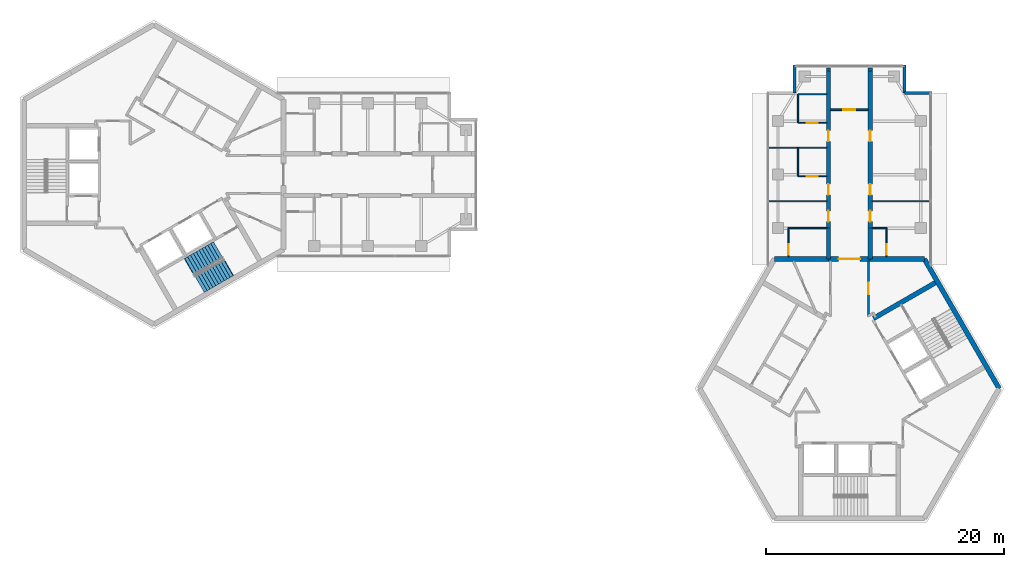
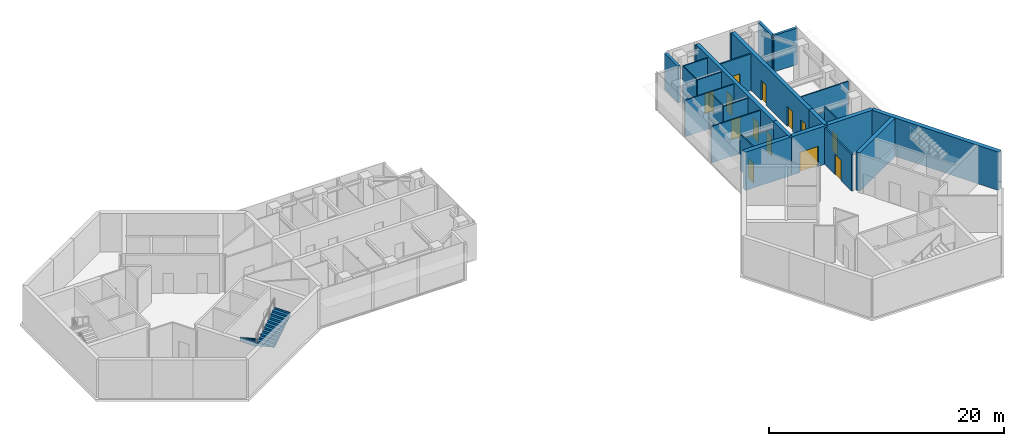
# One storey, part 9 of 11: 28 walls, 13 doors, 2 stair flights, 13 openings, 1 element without a shape of its own.
"""IFC4 building model written with IfcOpenShell, lengths in metres."""

import ifcopenshell
import ifcopenshell.guid

model = None  # the IFC model being written
_history = None  # IfcOwnerHistory: only IFC2X3 demands one
_inside = {}  # id of a spatial element -> (the spatial element, [elements in it])
_under = {}  # id of a project, library or spatial element -> (it, [spatial elements below it])
_declared = {}  # id of a project -> (the project, [libraries it declares])
_typed = {}  # id of a type object -> (the type object, [elements of that type])
_made_of = {}  # id of a material, layer set ... -> (it, [elements and type objects made of it])


def new_model(schema):
    """Start an empty IFC model of exactly this schema.

    Asked for "IFC4X3", IfcOpenShell would pick the latest addendum, in which some entities
    have other attributes; the version numbers below select the first issue.
    IFC2X3 requires an IfcOwnerHistory on every rooted entity: one is made here for all.
    """
    global model, _history
    if schema == "IFC4X3":
        model = ifcopenshell.file(schema_version=(4, 3, 0, 0))
    else:
        model = ifcopenshell.file(schema=schema)
    _inside.clear()
    _under.clear()
    _declared.clear()
    _typed.clear()
    _made_of.clear()
    _history = None
    if model.schema == "IFC2X3":
        org = make("IfcOrganization", Name="unknown")
        user = make(
            "IfcPersonAndOrganization",
            ThePerson=make("IfcPerson", FamilyName="unknown"),
            TheOrganization=org,
        )
        app = make(
            "IfcApplication",
            ApplicationDeveloper=org,
            Version="unknown",
            ApplicationFullName="unknown",
            ApplicationIdentifier="unknown",
        )
        _history = make(
            "IfcOwnerHistory",
            OwningUser=user,
            OwningApplication=app,
            ChangeAction="ADDED",
            CreationDate=0,
        )
    return model


def make(cls, **values):
    """One entity of the class cls with the attributes given. An attribute that is None is left unset."""
    return model.create_entity(
        cls, **{name: value for name, value in values.items() if value is not None}
    )


def rooted(cls, **values):
    """An entity with a GlobalId (a new one), such as an element, a storey or a relation."""
    return make(cls, GlobalId=ifcopenshell.guid.new(), OwnerHistory=_history, **values)


def si_unit(unit_type, name, prefix=None):
    """IfcSIUnit, for example si_unit("LENGTHUNIT", "METRE", prefix="MILLI")."""
    return make("IfcSIUnit", UnitType=unit_type, Prefix=prefix, Name=name)


def assignment(units):
    """IfcUnitAssignment: the units of a project."""
    return None if units is None else make("IfcUnitAssignment", Units=units)


def point(xyz):
    """IfcCartesianPoint."""
    return None if xyz is None else make("IfcCartesianPoint", Coordinates=xyz)


def direction(xyz):
    """IfcDirection."""
    return None if xyz is None else make("IfcDirection", DirectionRatios=xyz)


def frame(location, z_axis=None, x_axis=None):
    """IfcAxis2Placement3D, a coordinate frame: its origin and axes. An axis left out is left unset."""
    return make(
        "IfcAxis2Placement3D",
        Location=point(location),
        Axis=direction(z_axis),
        RefDirection=direction(x_axis),
    )


def frame_2d(location, x_axis=None):
    """IfcAxis2Placement2D, a coordinate frame in the plane: its origin and x axis."""
    return make(
        "IfcAxis2Placement2D", Location=point(location), RefDirection=direction(x_axis)
    )


def origin():
    """The frame at (0, 0, 0) with its axes left unset."""
    return frame((0.0, 0.0, 0.0))


def place(relative_to, where):
    """IfcLocalPlacement: puts the frame where relative to a parent placement (None: the world)."""
    return make(
        "IfcLocalPlacement", PlacementRelTo=relative_to, RelativePlacement=where
    )


def context(
    kind, dimensions, precision=None, world=None, true_north=None, identifier=None
):
    """IfcGeometricRepresentationContext, for example the 3D "Model" context."""
    return make(
        "IfcGeometricRepresentationContext",
        ContextIdentifier=identifier,
        ContextType=kind,
        CoordinateSpaceDimension=dimensions,
        Precision=precision,
        WorldCoordinateSystem=world,
        TrueNorth=true_north,
    )


def subcontext(parent, identifier, kind, view, scale=None):
    """IfcGeometricRepresentationSubContext, for example "Body" below "Model"."""
    return make(
        "IfcGeometricRepresentationSubContext",
        ContextIdentifier=identifier,
        ContextType=kind,
        ParentContext=parent,
        TargetScale=scale,
        TargetView=view,
    )


def project(units=None, contexts=None):
    """IfcProject with its units and contexts."""
    return rooted(
        "IfcProject",
        Name="project",
        RepresentationContexts=contexts,
        UnitsInContext=assignment(units),
    )


def spatial(cls, under=None, at=None, **own):
    """A site, building, storey or space (cls), placed at a placement, below another one or the project."""
    s = rooted(cls, ObjectPlacement=at, **own)
    if under is not None:
        _under.setdefault(under.id(), (under, []))[1].append(s)
    return s


def polyline(points):
    """IfcPolyline through the points."""
    return make("IfcPolyline", Points=[point(p) for p in points])


def profile(cls, at=None, kind="AREA", **sizes):
    """A parametric profile (cls). Its sizes go by their IFC names, for example OverallWidth=200.0."""
    return make(cls, ProfileType=kind, Position=at, **sizes)


def rectangle(**sizes):
    """IfcRectangleProfileDef."""
    return profile("IfcRectangleProfileDef", **sizes)


def outline(outer, holes=None, kind="AREA"):
    """IfcArbitraryClosedProfileDef: a profile drawn as a closed curve; with holes, ...WithVoids."""
    if holes is None:
        return make("IfcArbitraryClosedProfileDef", ProfileType=kind, OuterCurve=outer)
    return make(
        "IfcArbitraryProfileDefWithVoids",
        ProfileType=kind,
        OuterCurve=outer,
        InnerCurves=holes,
    )


def extrude(swept, where, along, depth):
    """IfcExtrudedAreaSolid: the profile swept, set in the frame where, extruded along a direction by depth."""
    return make(
        "IfcExtrudedAreaSolid",
        SweptArea=swept,
        Position=where,
        ExtrudedDirection=direction(along),
        Depth=depth,
    )


def shape(context_of_items, identifier, shape_type, items):
    """IfcShapeRepresentation: the items that make up one representation, for example the "Body"."""
    return make(
        "IfcShapeRepresentation",
        ContextOfItems=context_of_items,
        RepresentationIdentifier=identifier,
        RepresentationType=shape_type,
        Items=items,
    )


def material(Name=None, Category=None):
    """IfcMaterial."""
    return make("IfcMaterial", Name=Name, Category=Category)


def layer(
    of_material, thickness, ventilated=None, Name=None, Category=None, Priority=None
):
    """IfcMaterialLayer: one layer of a wall or slab, of a material (None: an air gap)."""
    return make(
        "IfcMaterialLayer",
        Material=of_material,
        LayerThickness=thickness,
        IsVentilated=ventilated,
        Name=Name,
        Category=Category,
        Priority=Priority,
    )


def layer_set(layers, Name=None):
    """IfcMaterialLayerSet."""
    return make("IfcMaterialLayerSet", MaterialLayers=layers, LayerSetName=Name)


def made_of(thing, what):
    """Note that an element or type object is made of a material, layer set ...; save() writes the relation."""
    if what is not None:
        _made_of.setdefault(what.id(), (what, []))[1].append(thing)
    return thing


def type_object(cls, material=None, **own):
    """A type object (cls), such as IfcWallType, which elements share."""
    return made_of(rooted(cls, **own), material)


def element(
    cls,
    number,
    at=None,
    inside=None,
    cuts=None,
    type_object=None,
    material=None,
    context=None,
    identifier="Body",
    shape_type=None,
    held_by="IfcProductDefinitionShape",
    body=None,
    shapes=None,
    **own,
):
    """One element of the class cls, such as IfcWall. Its Tag is "e" and its number.

    at: its placement. inside: the storey or other place that contains it. cuts: it is an
    opening in that element (IfcRelVoidsElement). A single representation is given by context,
    identifier, shape_type and body (its items); several are given by shapes. held_by: the class
    of the entity that holds the representations. save() writes the other relations.
    """
    e = rooted(cls, Tag="e%d" % number, ObjectPlacement=at, **own)
    if body is not None:
        shapes = [shape(context, identifier, shape_type, body)]
    if shapes is not None:
        e.Representation = make(held_by, Representations=shapes)
    if inside is not None:
        _inside.setdefault(inside.id(), (inside, []))[1].append(e)
    if cuts is not None:
        rooted(
            "IfcRelVoidsElement", RelatingBuildingElement=cuts, RelatedOpeningElement=e
        )
    if type_object is not None:
        _typed.setdefault(type_object.id(), (type_object, []))[1].append(e)
    return made_of(e, material)


def fill(opening, filler):
    """IfcRelFillsElement: the door or window that sits in an opening."""
    return rooted(
        "IfcRelFillsElement",
        RelatingOpeningElement=opening,
        RelatedBuildingElement=filler,
    )


def aggregate(whole, parts):
    """IfcRelAggregates: a whole, such as a stair, and the parts it consists of."""
    return rooted("IfcRelAggregates", RelatingObject=whole, RelatedObjects=parts)


def save(model, path):
    """Write the relations noted so far, then the file.

    IfcRelAggregates (storeys below a building ...), IfcRelContainedInSpatialStructure (elements
    in a storey), IfcRelDefinesByType, IfcRelAssociatesMaterial and IfcRelDeclares: one each for
    every whole, place, type object, material and project.
    """
    for whole, parts in _under.values():
        aggregate(whole, parts)
    for where, things in _inside.values():
        rooted(
            "IfcRelContainedInSpatialStructure",
            RelatedElements=things,
            RelatingStructure=where,
        )
    for kind, things in _typed.values():
        rooted("IfcRelDefinesByType", RelatedObjects=things, RelatingType=kind)
    for what, things in _made_of.values():
        rooted("IfcRelAssociatesMaterial", RelatedObjects=things, RelatingMaterial=what)
    for by, libraries in _declared.values():
        rooted("IfcRelDeclares", RelatingContext=by, RelatedDefinitions=libraries)
    model.write(path)


model = new_model("IFC4")

# Units and contexts
model_context = context("Model", 3, precision=1e-05, world=origin(), true_north=direction((0.0, 1.0)))
body_context = subcontext(model_context, "Body", "Model", "MODEL_VIEW")
ifc_project = project(units=[si_unit("LENGTHUNIT", "METRE"), si_unit("AREAUNIT", "SQUARE_METRE"), si_unit("VOLUMEUNIT", "CUBIC_METRE"), si_unit("PLANEANGLEUNIT", "RADIAN"), si_unit("MASSUNIT", "GRAM", prefix="KILO")], contexts=[model_context])

# Site, building, storey
site_placement = place(None, origin())
site = spatial("IfcSite", under=ifc_project, at=site_placement, CompositionType="ELEMENT")
building_placement = place(site_placement, origin())
building = spatial("IfcBuilding", under=site, at=building_placement, Name="Upepo Twin Towers", CompositionType="ELEMENT")
storey_placement = place(building_placement, frame((0.0, 0.0, 275.5)))
storey = spatial("IfcBuildingStorey", under=building, at=storey_placement, Name="L67", CompositionType="ELEMENT", Elevation=275.5)

# Walls
ifc_material_1 = material(Name="Dense concrete blockwork", Category="masonry")
ifc_layer_1 = layer(ifc_material_1, 0.35009765625)
ifc_layer_set_1 = layer_set([ifc_layer_1], Name="Buttress closer 350, blockwork with fire-stopping to the curtain wall")
wall_type_1 = type_object("IfcWallType", Name="Buttress closer 350, blockwork with fire-stopping to the curtain wall", PredefinedType="PARTITIONING", material=ifc_layer_set_1)
for number, where, z_axis, x_axis, name in (
    (1, (56.75, 8.699951171875, 0.0), (0.0, 0.0, 1.0), (0.0, 1.0, 0.0), "T2 L67 wing A buttress closer L"),
    (2, (60.25, 8.699951171875, 0.0), (0.0, 0.0, 1.0), (0.0, 1.0, 0.0), "T2 L67 wing A buttress closer R"),
):
    element("IfcWall", number, at=place(storey_placement, frame(where, z_axis=z_axis, x_axis=x_axis)), inside=storey, type_object=wall_type_1, Name=name, PredefinedType="PARTITIONING", context=body_context, shape_type="SweptSolid", body=[
        extrude(rectangle(XDim=0.275146484375, YDim=0.35009765625, at=frame_2d((0.1376953125, 0.0))), origin(), (0.0, 0.0, 1.0), 3.800048828125),
    ])
ifc_material_2 = material(Name="Concrete C60/75", Category="concrete")
ifc_layer_2 = layer(ifc_material_2, 0.35009765625)
ifc_layer_set_2 = layer_set([ifc_layer_2], Name="Concrete C60/75")
wall_type_2 = type_object("IfcWallType", Name="Buttress wall 350 RC", PredefinedType="SHEAR", material=ifc_layer_set_2)
wall_1_placement = place(storey_placement, frame((56.75, -7.091552734375, 0.0), z_axis=(0.0, 0.0, 1.0), x_axis=(0.0, 1.0, 0.0)))
element("IfcWall", 3, at=wall_1_placement, inside=storey, type_object=wall_type_2, Name="T2 wing A buttress wall L", PredefinedType="SHEAR", context=body_context, shape_type="SweptSolid", body=[
    extrude(rectangle(XDim=2.591552734375, YDim=0.35009765625, at=frame_2d((1.2958984375, 0.0))), origin(), (0.0, 0.0, 1.0), 4.0),
])

# Wall, openings, doors
wall_2_placement = place(storey_placement, frame((56.75, -4.5, 0.0), z_axis=(0.0, 0.0, 1.0), x_axis=(0.0, 1.0, 0.0)))
wall_2 = element("IfcWall", 4, at=wall_2_placement, inside=storey, type_object=wall_type_2, Name="T2 wing A buttress wall L part 2", PredefinedType="SHEAR", context=body_context, shape_type="SweptSolid", body=[
    extrude(rectangle(XDim=13.199951171875, YDim=0.35009765625, at=frame_2d((6.60009765625, 0.0))), origin(), (0.0, 0.0, 1.0), 4.0),
])
opening_1_placement = place(wall_2_placement, frame((0.550048828125, 0.0, 0.0)))
opening_1 = element("IfcOpeningElement", 5, at=opening_1_placement, cuts=wall_2, Name="Opening D11", PredefinedType="OPENING", context=body_context, shape_type="SweptSolid", body=[
    extrude(rectangle(XDim=0.89990234375, YDim=2.10009765625, at=frame_2d((0.449951171875, 1.050048828125))), frame((0.0, 0.18505859375, 0.0), z_axis=(0.0, -1.0, 0.0), x_axis=(1.0, 0.0, 0.0)), (0.0, 0.0, 1.0), 0.3701171875),
])
opening_2_placement = place(wall_2_placement, frame((2.800048828125, 0.0, 0.0)))
opening_2 = element("IfcOpeningElement", 6, at=opening_2_placement, cuts=wall_2, Name="Opening D14", PredefinedType="OPENING", context=body_context, shape_type="SweptSolid", body=[
    extrude(rectangle(XDim=0.89990234375, YDim=2.10009765625, at=frame_2d((0.449951171875, 1.050048828125))), frame((0.0, 0.18505859375, 0.0), z_axis=(0.0, -1.0, 0.0), x_axis=(1.0, 0.0, 0.0)), (0.0, 0.0, 1.0), 0.3701171875),
])
opening_3_placement = place(wall_2_placement, frame((7.300048828125, 0.0, 0.0)))
opening_3 = element("IfcOpeningElement", 7, at=opening_3_placement, cuts=wall_2, Name="Opening D14", PredefinedType="OPENING", context=body_context, shape_type="SweptSolid", body=[
    extrude(rectangle(XDim=0.89990234375, YDim=2.10009765625, at=frame_2d((0.449951171875, 1.050048828125))), frame((0.0, 0.18505859375, 0.0), z_axis=(0.0, -1.0, 0.0), x_axis=(1.0, 0.0, 0.0)), (0.0, 0.0, 1.0), 0.3701171875),
])
ifc_material_3 = material(Name="Timber doorset", Category="wood")
door_type_1 = type_object("IfcDoorType", Name="Office door 900 FD30", OperationType="SINGLE_SWING_LEFT", PredefinedType="DOOR", material=ifc_material_3)
door_1_placement = place(opening_2_placement, origin())
door_1 = element("IfcDoor", 8, at=door_1_placement, inside=storey, type_object=door_type_1, Name="T2 L67 seminar room door", OperationType="SINGLE_SWING_LEFT", OverallHeight=2.10009765625, OverallWidth=0.89990234375, PredefinedType="DOOR", context=body_context, shape_type="SweptSolid", body=[
    extrude(rectangle(XDim=0.89990234375, YDim=2.10009765625, at=frame_2d((0.449951171875, 1.050048828125))), frame((0.0, 0.02490234375, 0.0), z_axis=(0.0, -1.0, 0.0), x_axis=(1.0, 0.0, 0.0)), (0.0, 0.0, 1.0), 0.050048828125),
])
fill(opening_2, door_1)
door_2_placement = place(opening_3_placement, origin())
door_2 = element("IfcDoor", 9, at=door_2_placement, inside=storey, type_object=door_type_1, Name="T2 L67 tutorial room door", OperationType="SINGLE_SWING_RIGHT", OverallHeight=2.10009765625, OverallWidth=0.89990234375, PredefinedType="DOOR", context=body_context, shape_type="SweptSolid", body=[
    extrude(rectangle(XDim=0.89990234375, YDim=2.10009765625, at=frame_2d((0.449951171875, 1.050048828125))), frame((0.0, 0.02490234375, 0.0), z_axis=(0.0, -1.0, 0.0), x_axis=(1.0, 0.0, 0.0)), (0.0, 0.0, 1.0), 0.050048828125),
])
fill(opening_3, door_2)
ifc_material_4 = material(Name="Timber doorset", Category="wood")
door_type_2 = type_object("IfcDoorType", Name="Toilet door 900", OperationType="SINGLE_SWING_LEFT", PredefinedType="DOOR", material=ifc_material_4)
door_3_placement = place(opening_1_placement, origin())
door_3 = element("IfcDoor", 10, at=door_3_placement, inside=storey, type_object=door_type_2, Name="T2 L67 accessible wc door", OperationType="SINGLE_SWING_LEFT", OverallHeight=2.10009765625, OverallWidth=0.89990234375, PredefinedType="DOOR", context=body_context, shape_type="SweptSolid", body=[
    extrude(rectangle(XDim=0.89990234375, YDim=2.10009765625, at=frame_2d((0.449951171875, 1.050048828125))), frame((0.0, 0.02490234375, 0.0), z_axis=(0.0, -1.0, 0.0), x_axis=(1.0, 0.0, 0.0)), (0.0, 0.0, 1.0), 0.050048828125),
])
fill(opening_1, door_3)

# Wall
wall_3_placement = place(storey_placement, frame((60.25, -7.091552734375, 0.0), z_axis=(0.0, 0.0, 1.0), x_axis=(0.0, 1.0, 0.0)))
element("IfcWall", 11, at=wall_3_placement, inside=storey, type_object=wall_type_2, Name="T2 wing A buttress wall R", PredefinedType="SHEAR", context=body_context, shape_type="SweptSolid", body=[
    extrude(rectangle(XDim=2.591552734375, YDim=0.35009765625, at=frame_2d((1.2958984375, 0.0))), origin(), (0.0, 0.0, 1.0), 4.0),
])

# Wall, openings, doors
wall_4_placement = place(storey_placement, frame((60.25, -4.5, 0.0), z_axis=(0.0, 0.0, 1.0), x_axis=(0.0, 1.0, 0.0)))
wall_4 = element("IfcWall", 12, at=wall_4_placement, inside=storey, type_object=wall_type_2, Name="T2 wing A buttress wall R part 2", PredefinedType="SHEAR", context=body_context, shape_type="SweptSolid", body=[
    extrude(rectangle(XDim=13.199951171875, YDim=0.35009765625, at=frame_2d((6.60009765625, 0.0))), origin(), (0.0, 0.0, 1.0), 4.0),
])
opening_4_placement = place(wall_4_placement, frame((0.550048828125, 0.0, 0.0)))
opening_4 = element("IfcOpeningElement", 13, at=opening_4_placement, cuts=wall_4, Name="Opening D11", PredefinedType="OPENING", context=body_context, shape_type="SweptSolid", body=[
    extrude(rectangle(XDim=0.89990234375, YDim=2.10009765625, at=frame_2d((0.449951171875, 1.050048828125))), frame((0.0, 0.18505859375, 0.0), z_axis=(0.0, -1.0, 0.0), x_axis=(1.0, 0.0, 0.0)), (0.0, 0.0, 1.0), 0.3701171875),
])
opening_5_placement = place(wall_4_placement, frame((2.800048828125, 0.0, 0.0)))
opening_5 = element("IfcOpeningElement", 14, at=opening_5_placement, cuts=wall_4, Name="Opening D14", PredefinedType="OPENING", context=body_context, shape_type="SweptSolid", body=[
    extrude(rectangle(XDim=0.89990234375, YDim=2.10009765625, at=frame_2d((0.449951171875, 1.050048828125))), frame((0.0, 0.18505859375, 0.0), z_axis=(0.0, -1.0, 0.0), x_axis=(1.0, 0.0, 0.0)), (0.0, 0.0, 1.0), 0.3701171875),
])
opening_6_placement = place(wall_4_placement, frame((7.300048828125, 0.0, 0.0)))
opening_6 = element("IfcOpeningElement", 15, at=opening_6_placement, cuts=wall_4, Name="Opening D14", PredefinedType="OPENING", context=body_context, shape_type="SweptSolid", body=[
    extrude(rectangle(XDim=0.89990234375, YDim=2.10009765625, at=frame_2d((0.449951171875, 1.050048828125))), frame((0.0, 0.18505859375, 0.0), z_axis=(0.0, -1.0, 0.0), x_axis=(1.0, 0.0, 0.0)), (0.0, 0.0, 1.0), 0.3701171875),
])
door_4_placement = place(opening_5_placement, origin())
door_4 = element("IfcDoor", 16, at=door_4_placement, inside=storey, type_object=door_type_1, Name="T2 L67 graduate seminar room door", OperationType="SINGLE_SWING_LEFT", OverallHeight=2.10009765625, OverallWidth=0.89990234375, PredefinedType="DOOR", context=body_context, shape_type="SweptSolid", body=[
    extrude(rectangle(XDim=0.89990234375, YDim=2.10009765625, at=frame_2d((0.449951171875, 1.050048828125))), frame((0.0, 0.02490234375, 0.0), z_axis=(0.0, -1.0, 0.0), x_axis=(1.0, 0.0, 0.0)), (0.0, 0.0, 1.0), 0.050048828125),
])
fill(opening_5, door_4)
door_5_placement = place(opening_6_placement, origin())
door_5 = element("IfcDoor", 17, at=door_5_placement, inside=storey, type_object=door_type_1, Name="T2 L67 graduate seminar room door", OperationType="SINGLE_SWING_RIGHT", OverallHeight=2.10009765625, OverallWidth=0.89990234375, PredefinedType="DOOR", context=body_context, shape_type="SweptSolid", body=[
    extrude(rectangle(XDim=0.89990234375, YDim=2.10009765625, at=frame_2d((0.449951171875, 1.050048828125))), frame((0.0, 0.02490234375, 0.0), z_axis=(0.0, -1.0, 0.0), x_axis=(1.0, 0.0, 0.0)), (0.0, 0.0, 1.0), 0.050048828125),
])
fill(opening_6, door_5)
door_6_placement = place(opening_4_placement, origin())
door_6 = element("IfcDoor", 18, at=door_6_placement, inside=storey, type_object=door_type_2, Name="T2 L67 toilets door", OperationType="SINGLE_SWING_LEFT", OverallHeight=2.10009765625, OverallWidth=0.89990234375, PredefinedType="DOOR", context=body_context, shape_type="SweptSolid", body=[
    extrude(rectangle(XDim=0.89990234375, YDim=2.10009765625, at=frame_2d((0.449951171875, 1.050048828125))), frame((0.0, 0.02490234375, 0.0), z_axis=(0.0, -1.0, 0.0), x_axis=(1.0, 0.0, 0.0)), (0.0, 0.0, 1.0), 0.050048828125),
])
fill(opening_4, door_6)

# Wall
ifc_material_5 = material(Name="Concrete C60/75", Category="concrete")
ifc_layer_3 = layer(ifc_material_5, 0.39990234375)
ifc_layer_set_3 = layer_set([ifc_layer_3], Name="Concrete C60/75")
wall_type_3 = type_object("IfcWallType", Name="Core wall 400 RC", PredefinedType="SHEAR", material=ifc_layer_set_3)
wall_5_placement = place(storey_placement, frame((64.7978515625, -7.091552734375, 0.0), z_axis=(0.0, 0.0, 1.0), x_axis=(-1.0, 0.0, 0.0)))
element("IfcWall", 19, at=wall_5_placement, inside=storey, type_object=wall_type_3, Name="T2 core wall 000 R", PredefinedType="SHEAR", context=body_context, shape_type="SweptSolid", body=[
    extrude(rectangle(XDim=4.5478515625, YDim=0.39990234375, at=frame_2d((2.27392578125, 0.0))), origin(), (0.0, 0.0, 1.0), 4.0),
])

# Wall, opening, door
wall_6_placement = place(storey_placement, frame((60.25, -7.091552734375, 0.0), z_axis=(0.0, 0.0, 1.0), x_axis=(-1.0, 0.0, 0.0)))
wall_6 = element("IfcWall", 20, at=wall_6_placement, inside=storey, type_object=wall_type_3, Name="T2 core wall 000", PredefinedType="SHEAR", context=body_context, shape_type="SweptSolid", body=[
    extrude(rectangle(XDim=3.5, YDim=0.39990234375, at=frame_2d((1.75, 0.0))), origin(), (0.0, 0.0, 1.0), 4.0),
])
opening_7_placement = place(wall_6_placement, frame((0.85009765625, 0.0, 0.0)))
opening_7 = element("IfcOpeningElement", 21, at=opening_7_placement, cuts=wall_6, Name="Opening D2", PredefinedType="OPENING", context=body_context, shape_type="SweptSolid", body=[
    extrude(rectangle(XDim=1.800048828125, YDim=2.10009765625, at=frame_2d((0.89990234375, 1.050048828125))), frame((0.0, 0.2099609375, 0.0), z_axis=(0.0, -1.0, 0.0), x_axis=(1.0, 0.0, 0.0)), (0.0, 0.0, 1.0), 0.419921875),
])
ifc_material_6 = material(Name="Timber doorset", Category="wood")
door_type_3 = type_object("IfcDoorType", Name="Corridor double door 1800 FD60", OperationType="DOUBLE_DOOR_DOUBLE_SWING", PredefinedType="DOOR", material=ifc_material_6)
door_7_placement = place(opening_7_placement, origin())
door_7 = element("IfcDoor", 22, at=door_7_placement, inside=storey, type_object=door_type_3, Name="T2 L67 wing A corridor door", OperationType="DOUBLE_DOOR_DOUBLE_SWING", OverallHeight=2.10009765625, OverallWidth=1.800048828125, PredefinedType="DOOR", context=body_context, shape_type="SweptSolid", body=[
    extrude(rectangle(XDim=1.800048828125, YDim=2.10009765625, at=frame_2d((0.89990234375, 1.050048828125))), frame((0.0, 0.02490234375, 0.0), z_axis=(0.0, -1.0, 0.0), x_axis=(1.0, 0.0, 0.0)), (0.0, 0.0, 1.0), 0.050048828125),
])
fill(opening_7, door_7)

# Walls
wall_7_placement = place(storey_placement, frame((56.75, -7.091552734375, 0.0), z_axis=(0.0, 0.0, 1.0), x_axis=(-1.0, 0.0, 0.0)))
element("IfcWall", 23, at=wall_7_placement, inside=storey, type_object=wall_type_3, Name="T2 core wall 000 L", PredefinedType="SHEAR", context=body_context, shape_type="SweptSolid", body=[
    extrude(rectangle(XDim=4.5478515625, YDim=0.39990234375, at=frame_2d((2.27392578125, 0.0))), origin(), (0.0, 0.0, 1.0), 4.0),
])
wall_8_placement = place(storey_placement, frame((71.095947265625, -18.0, 0.0), z_axis=(0.0, 0.0, 1.0), x_axis=(-0.500005998175, 0.866021940709, 0.0)))
element("IfcWall", 24, at=wall_8_placement, inside=storey, type_object=wall_type_3, Name="T2 core wall 300", PredefinedType="SHEAR", context=body_context, shape_type="SweptSolid", body=[
    extrude(rectangle(XDim=12.595947265625, YDim=0.39990234375, at=frame_2d((6.2978515625, 0.0))), origin(), (0.0, 0.0, 1.0), 4.0),
])
ifc_material_7 = material(Name="Blockwork with anodised aluminium cladding", Category="masonry")
ifc_layer_4 = layer(ifc_material_7, 0.25)
ifc_layer_set_4 = layer_set([ifc_layer_4], Name="Notch cladding wall 250, pale metal")
wall_type_4 = type_object("IfcWallType", Name="Notch cladding wall 250, pale metal", PredefinedType="STANDARD", material=ifc_layer_set_4)
for number, where, z_axis, x_axis, name in (
    (25, (53.875, 6.875, 0.0), (0.0, 0.0, 1.0), (0.0, 1.0, 0.0), "T2 L67 wing A notch wall L2"),
    (26, (65.449951171875, 6.875, 0.0), (0.0, 0.0, 1.0), (-1.0, 0.0, 0.0), "T2 L67 wing A notch wall R1"),
    (27, (63.125, 6.875, 0.0), (0.0, 0.0, 1.0), (0.0, 1.0, 0.0), "T2 L67 wing A notch wall R2"),
):
    element("IfcWall", number, at=place(storey_placement, frame(where, z_axis=z_axis, x_axis=x_axis)), inside=storey, type_object=wall_type_4, Name=name, PredefinedType="STANDARD", context=body_context, shape_type="SweptSolid", body=[
        extrude(rectangle(XDim=2.324951171875, YDim=0.25, at=frame_2d((1.16259765625, 0.0))), origin(), (0.0, 0.0, 1.0), 3.800048828125),
    ])
ifc_material_8 = material(Name="Gypsum board on steel studs", Category="steel")
ifc_layer_5 = layer(ifc_material_8, 0.10009765625)
ifc_layer_set_5 = layer_set([ifc_layer_5], Name="Office partition 100 stud")
wall_type_5 = type_object("IfcWallType", Name="Office partition 100 stud", PredefinedType="PARTITIONING", material=ifc_layer_set_5)
for number, where, z_axis, x_axis, name in (
    (28, (56.574951171875, -2.25, 0.0), (0.0, 0.0, 1.0), (-1.0, 0.0, 0.0), "T2 partition AL at 15.75"),
    (29, (56.574951171875, 2.25, 0.0), (0.0, 0.0, 1.0), (-1.0, 0.0, 0.0), "T2 partition AL at 20.25"),
):
    element("IfcWall", number, at=place(storey_placement, frame(where, z_axis=z_axis, x_axis=x_axis)), inside=storey, type_object=wall_type_5, Name=name, PredefinedType="PARTITIONING", context=body_context, shape_type="SweptSolid", body=[
        extrude(rectangle(XDim=4.824951171875, YDim=0.10009765625, at=frame_2d((2.41259765625, 0.0))), origin(), (0.0, 0.0, 1.0), 3.800048828125),
    ])
wall_9_placement = place(storey_placement, frame((54.175048828125, -0.14990234375, 0.0), z_axis=(0.0, 0.0, 1.0), x_axis=(0.0, 1.0, 0.0)))
element("IfcWall", 30, at=wall_9_placement, inside=storey, type_object=wall_type_5, Name="T2 inner room partition AL at 17.85", PredefinedType="PARTITIONING", context=body_context, shape_type="SweptSolid", body=[
    extrude(rectangle(XDim=2.39990234375, YDim=0.10009765625, at=frame_2d((1.199951171875, 0.0))), origin(), (0.0, 0.0, 1.0), 3.800048828125),
])

# Wall, opening, door
wall_10_placement = place(storey_placement, frame((56.574951171875, -0.14990234375, 0.0), z_axis=(0.0, 0.0, 1.0), x_axis=(-1.0, 0.0, 0.0)))
wall_10 = element("IfcWall", 31, at=wall_10_placement, inside=storey, type_object=wall_type_5, Name="T2 inner room partition AL end at 17.85", PredefinedType="PARTITIONING", context=body_context, shape_type="SweptSolid", body=[
    extrude(rectangle(XDim=2.39990234375, YDim=0.10009765625, at=frame_2d((1.199951171875, 0.0))), origin(), (0.0, 0.0, 1.0), 3.800048828125),
])
opening_8_placement = place(wall_10_placement, frame((0.75, 0.0, 0.0)))
opening_8 = element("IfcOpeningElement", 32, at=opening_8_placement, cuts=wall_10, Name="Opening D14", PredefinedType="OPENING", context=body_context, shape_type="SweptSolid", body=[
    extrude(rectangle(XDim=0.89990234375, YDim=2.10009765625, at=frame_2d((0.449951171875, 1.050048828125))), frame((0.0, 0.06005859375, 0.0), z_axis=(0.0, -1.0, 0.0), x_axis=(1.0, 0.0, 0.0)), (0.0, 0.0, 1.0), 0.1201171875),
])
door_8_placement = place(opening_8_placement, origin())
door_8 = element("IfcDoor", 33, at=door_8_placement, inside=storey, type_object=door_type_1, Name="T2 L67 inner room door", OperationType="SINGLE_SWING_LEFT", OverallHeight=2.10009765625, OverallWidth=0.89990234375, PredefinedType="DOOR", context=body_context, shape_type="SweptSolid", body=[
    extrude(rectangle(XDim=0.89990234375, YDim=2.10009765625, at=frame_2d((0.449951171875, 1.050048828125))), frame((0.0, 0.02490234375, 0.0), z_axis=(0.0, -1.0, 0.0), x_axis=(1.0, 0.0, 0.0)), (0.0, 0.0, 1.0), 0.050048828125),
])
fill(opening_8, door_8)

# Wall
wall_11_placement = place(storey_placement, frame((54.175048828125, 4.35009765625, 0.0), z_axis=(0.0, 0.0, 1.0), x_axis=(0.0, 1.0, 0.0)))
element("IfcWall", 34, at=wall_11_placement, inside=storey, type_object=wall_type_5, Name="T2 inner room partition AL at 22.35", PredefinedType="PARTITIONING", context=body_context, shape_type="SweptSolid", body=[
    extrude(rectangle(XDim=2.39990234375, YDim=0.10009765625, at=frame_2d((1.199951171875, 0.0))), origin(), (0.0, 0.0, 1.0), 3.800048828125),
])

# Wall, opening, door
wall_12_placement = place(storey_placement, frame((56.574951171875, 4.35009765625, 0.0), z_axis=(0.0, 0.0, 1.0), x_axis=(-1.0, 0.0, 0.0)))
wall_12 = element("IfcWall", 35, at=wall_12_placement, inside=storey, type_object=wall_type_5, Name="T2 inner room partition AL end at 22.35", PredefinedType="PARTITIONING", context=body_context, shape_type="SweptSolid", body=[
    extrude(rectangle(XDim=2.39990234375, YDim=0.10009765625, at=frame_2d((1.199951171875, 0.0))), origin(), (0.0, 0.0, 1.0), 3.800048828125),
])
opening_9_placement = place(wall_12_placement, frame((0.75, 0.0, 0.0)))
opening_9 = element("IfcOpeningElement", 36, at=opening_9_placement, cuts=wall_12, Name="Opening D14", PredefinedType="OPENING", context=body_context, shape_type="SweptSolid", body=[
    extrude(rectangle(XDim=0.89990234375, YDim=2.10009765625, at=frame_2d((0.449951171875, 1.050048828125))), frame((0.0, 0.06005859375, 0.0), z_axis=(0.0, -1.0, 0.0), x_axis=(1.0, 0.0, 0.0)), (0.0, 0.0, 1.0), 0.1201171875),
])
door_9_placement = place(opening_9_placement, origin())
door_9 = element("IfcDoor", 37, at=door_9_placement, inside=storey, type_object=door_type_1, Name="T2 L67 inner room door", OperationType="SINGLE_SWING_LEFT", OverallHeight=2.10009765625, OverallWidth=0.89990234375, PredefinedType="DOOR", context=body_context, shape_type="SweptSolid", body=[
    extrude(rectangle(XDim=0.89990234375, YDim=2.10009765625, at=frame_2d((0.449951171875, 1.050048828125))), frame((0.0, 0.02490234375, 0.0), z_axis=(0.0, -1.0, 0.0), x_axis=(1.0, 0.0, 0.0)), (0.0, 0.0, 1.0), 0.050048828125),
])
fill(opening_9, door_9)

# Wall
wall_13_placement = place(storey_placement, frame((56.574951171875, 6.75, 0.0), z_axis=(0.0, 0.0, 1.0), x_axis=(-1.0, 0.0, 0.0)))
element("IfcWall", 38, at=wall_13_placement, inside=storey, type_object=wall_type_5, Name="T2 inner room partition AL end at 24.75", PredefinedType="PARTITIONING", context=body_context, shape_type="SweptSolid", body=[
    extrude(rectangle(XDim=2.39990234375, YDim=0.10009765625, at=frame_2d((1.199951171875, 0.0))), origin(), (0.0, 0.0, 1.0), 3.800048828125),
])

# Wall, opening, door
wall_14_placement = place(storey_placement, frame((53.375, -6.89208984375, 0.0), z_axis=(0.0, 0.0, 1.0), x_axis=(0.0, 1.0, 0.0)))
wall_14 = element("IfcWall", 39, at=wall_14_placement, inside=storey, type_object=wall_type_5, Name="T2 WC bay partition AL at 11.11", PredefinedType="PARTITIONING", context=body_context, shape_type="SweptSolid", body=[
    extrude(rectangle(XDim=2.400146484375, YDim=0.10009765625, at=frame_2d((1.2001953125, 0.0))), origin(), (0.0, 0.0, 1.0), 3.800048828125),
])
opening_10_placement = place(wall_14_placement, frame((0.14990234375, 0.0, 0.0)))
opening_10 = element("IfcOpeningElement", 40, at=opening_10_placement, cuts=wall_14, Name="Opening D14", PredefinedType="OPENING", context=body_context, shape_type="SweptSolid", body=[
    extrude(rectangle(XDim=0.89990234375, YDim=2.10009765625, at=frame_2d((0.449951171875, 1.050048828125))), frame((0.0, 0.06005859375, 0.0), z_axis=(0.0, -1.0, 0.0), x_axis=(1.0, 0.0, 0.0)), (0.0, 0.0, 1.0), 0.1201171875),
])
door_10_placement = place(opening_10_placement, origin())
door_10 = element("IfcDoor", 41, at=door_10_placement, inside=storey, type_object=door_type_1, Name="T2 L67 WC bay inner room door", OperationType="SINGLE_SWING_LEFT", OverallHeight=2.10009765625, OverallWidth=0.89990234375, PredefinedType="DOOR", context=body_context, shape_type="SweptSolid", body=[
    extrude(rectangle(XDim=0.89990234375, YDim=2.10009765625, at=frame_2d((0.449951171875, 1.050048828125))), frame((0.0, 0.02490234375, 0.0), z_axis=(0.0, -1.0, 0.0), x_axis=(1.0, 0.0, 0.0)), (0.0, 0.0, 1.0), 0.050048828125),
])
fill(opening_10, door_10)

# Walls
wall_15_placement = place(storey_placement, frame((56.574951171875, -4.491943359375, 0.0), z_axis=(0.0, 0.0, 1.0), x_axis=(-1.0, 0.0, 0.0)))
element("IfcWall", 42, at=wall_15_placement, inside=storey, type_object=wall_type_5, Name="T2 WC bay partition AL end at 13.51", PredefinedType="PARTITIONING", context=body_context, shape_type="SweptSolid", body=[
    extrude(rectangle(XDim=3.199951171875, YDim=0.10009765625, at=frame_2d((1.60009765625, 0.0))), origin(), (0.0, 0.0, 1.0), 3.266845703125),
])
wall_16_placement = place(storey_placement, frame((60.425048828125, -2.25, 0.0), z_axis=(0.0, 0.0, 1.0), x_axis=(1.0, 0.0, 0.0)))
element("IfcWall", 43, at=wall_16_placement, inside=storey, type_object=wall_type_5, Name="T2 partition AR at 15.75", PredefinedType="PARTITIONING", context=body_context, shape_type="SweptSolid", body=[
    extrude(rectangle(XDim=4.824951171875, YDim=0.10009765625, at=frame_2d((2.41259765625, 0.0))), origin(), (0.0, 0.0, 1.0), 3.800048828125),
])

# Wall, opening, door
wall_17_placement = place(storey_placement, frame((61.625, -6.89208984375, 0.0), z_axis=(0.0, 0.0, 1.0), x_axis=(0.0, 1.0, 0.0)))
wall_17 = element("IfcWall", 44, at=wall_17_placement, inside=storey, type_object=wall_type_5, Name="T2 WC bay partition AR at 11.11", PredefinedType="PARTITIONING", context=body_context, shape_type="SweptSolid", body=[
    extrude(rectangle(XDim=2.400146484375, YDim=0.10009765625, at=frame_2d((1.2001953125, 0.0))), origin(), (0.0, 0.0, 1.0), 3.800048828125),
])
opening_11_placement = place(wall_17_placement, frame((0.14990234375, 0.0, 0.0)))
opening_11 = element("IfcOpeningElement", 45, at=opening_11_placement, cuts=wall_17, Name="Opening D14", PredefinedType="OPENING", context=body_context, shape_type="SweptSolid", body=[
    extrude(rectangle(XDim=0.89990234375, YDim=2.10009765625, at=frame_2d((0.449951171875, 1.050048828125))), frame((0.0, 0.06005859375, 0.0), z_axis=(0.0, -1.0, 0.0), x_axis=(1.0, 0.0, 0.0)), (0.0, 0.0, 1.0), 0.1201171875),
])
door_11_placement = place(opening_11_placement, origin())
door_11 = element("IfcDoor", 46, at=door_11_placement, inside=storey, type_object=door_type_1, Name="T2 L67 WC bay inner room door", OperationType="SINGLE_SWING_LEFT", OverallHeight=2.10009765625, OverallWidth=0.89990234375, PredefinedType="DOOR", context=body_context, shape_type="SweptSolid", body=[
    extrude(rectangle(XDim=0.89990234375, YDim=2.10009765625, at=frame_2d((0.449951171875, 1.050048828125))), frame((0.0, 0.02490234375, 0.0), z_axis=(0.0, -1.0, 0.0), x_axis=(1.0, 0.0, 0.0)), (0.0, 0.0, 1.0), 0.050048828125),
])
fill(opening_11, door_11)

# Walls
wall_18_placement = place(storey_placement, frame((60.425048828125, -4.491943359375, 0.0), z_axis=(0.0, 0.0, 1.0), x_axis=(1.0, 0.0, 0.0)))
element("IfcWall", 47, at=wall_18_placement, inside=storey, type_object=wall_type_5, Name="T2 WC bay partition AR end at 13.51", PredefinedType="PARTITIONING", context=body_context, shape_type="SweptSolid", body=[
    extrude(rectangle(XDim=1.199951171875, YDim=0.10009765625, at=frame_2d((0.60009765625, 0.0))), origin(), (0.0, 0.0, 1.0), 3.266845703125),
])
ifc_material_9 = material(Name="Concrete C40/50", Category="concrete")
ifc_layer_6 = layer(ifc_material_9, 0.39990234375)
ifc_layer_set_6 = layer_set([ifc_layer_6], Name="Concrete C40/50")
wall_type_6 = type_object("IfcWallType", Name="Shaft wall 400 RC", PredefinedType="SHEAR", material=ifc_layer_set_6)
wall_19_placement = place(storey_placement, frame((60.520263671875, -12.099365234375, 0.0), z_axis=(0.0, 0.0, 1.0), x_axis=(0.866026570101, 0.499997979876, 0.0)))
element("IfcWall", 48, at=wall_19_placement, inside=storey, type_object=wall_type_6, Name="T2 core W300 side wall N", PredefinedType="SHEAR", context=body_context, shape_type="SweptSolid", body=[
    extrude(rectangle(XDim=6.00830078125, YDim=0.39990234375, at=frame_2d((3.004150390625, 0.0))), origin(), (0.0, 0.0, 1.0), 4.0),
])

# Wall, opening, door
ifc_material_10 = material(Name="Gypsum board on steel studs", Category="steel")
ifc_layer_7 = layer(ifc_material_10, 0.14990234375)
ifc_layer_set_7 = layer_set([ifc_layer_7], Name="Teaching partition 150 acoustic")
wall_type_7 = type_object("IfcWallType", Name="Teaching partition 150 acoustic", PredefinedType="PARTITIONING", material=ifc_layer_set_7)
wall_20_placement = place(storey_placement, frame((60.10009765625, -7.28173828125, 0.0), z_axis=(0.0, 0.0, 1.0), x_axis=(0.0, -1.0, 0.0)))
wall_20 = element("IfcWall", 49, at=wall_20_placement, inside=storey, type_object=wall_type_7, Name="T2 core room partition 12", PredefinedType="PARTITIONING", context=body_context, shape_type="SweptSolid", body=[
    extrude(rectangle(XDim=4.618408203125, YDim=0.14990234375, at=frame_2d((2.30908203125, 0.0))), origin(), (0.0, 0.0, 1.0), 3.800048828125),
])
opening_12_placement = place(wall_20_placement, frame((1.799072265625, 0.0, 0.0)))
opening_12 = element("IfcOpeningElement", 50, at=opening_12_placement, cuts=wall_20, Name="Opening D1", PredefinedType="OPENING", context=body_context, shape_type="SweptSolid", body=[
    extrude(rectangle(XDim=1.0, YDim=2.10009765625, at=frame_2d((0.5, 1.050048828125))), frame((0.0, 0.0849609375, 0.0), z_axis=(0.0, -1.0, 0.0), x_axis=(1.0, 0.0, 0.0)), (0.0, 0.0, 1.0), 0.169921875),
])
ifc_material_11 = material(Name="Timber doorset", Category="wood")
door_type_4 = type_object("IfcDoorType", Name="Room door 1000 FD30", OperationType="SINGLE_SWING_LEFT", PredefinedType="DOOR", material=ifc_material_11)
door_12_placement = place(opening_12_placement, origin())
door_12 = element("IfcDoor", 51, at=door_12_placement, inside=storey, type_object=door_type_4, Name="T2 L67 core room door K4", OperationType="SINGLE_SWING_LEFT", OverallHeight=2.10009765625, OverallWidth=1.0, PredefinedType="DOOR", context=body_context, shape_type="SweptSolid", body=[
    extrude(rectangle(XDim=1.0, YDim=2.10009765625, at=frame_2d((0.5, 1.050048828125))), frame((0.0, 0.02490234375, 0.0), z_axis=(0.0, -1.0, 0.0), x_axis=(1.0, 0.0, 0.0)), (0.0, 0.0, 1.0), 0.050048828125),
])
fill(opening_12, door_12)

wall_21_placement = place(storey_placement, frame((60.074951171875, 5.449951171875, 0.0), z_axis=(0.0, 0.0, 1.0), x_axis=(-1.0, 0.0, 0.0)))
wall_21 = element("IfcWall", 52, at=wall_21_placement, inside=storey, type_object=wall_type_7, Name="T2 corridor end partition A at 23.45", PredefinedType="PARTITIONING", context=body_context, shape_type="SweptSolid", body=[
    extrude(rectangle(XDim=3.14990234375, YDim=0.14990234375, at=frame_2d((1.574951171875, 0.0))), origin(), (0.0, 0.0, 1.0), 3.800048828125),
])
opening_13_placement = place(wall_21_placement, frame((1.074951171875, 0.0, 0.0)))
opening_13 = element("IfcOpeningElement", 53, at=opening_13_placement, cuts=wall_21, Name="Opening D1", PredefinedType="OPENING", context=body_context, shape_type="SweptSolid", body=[
    extrude(rectangle(XDim=1.0, YDim=2.10009765625, at=frame_2d((0.5, 1.050048828125))), frame((0.0, 0.0849609375, 0.0), z_axis=(0.0, -1.0, 0.0), x_axis=(1.0, 0.0, 0.0)), (0.0, 0.0, 1.0), 0.169921875),
])
door_13_placement = place(opening_13_placement, origin())
door_13 = element("IfcDoor", 54, at=door_13_placement, inside=storey, type_object=door_type_4, Name="T2 L67 breakout study room door", OperationType="SINGLE_SWING_LEFT", OverallHeight=2.10009765625, OverallWidth=1.0, PredefinedType="DOOR", context=body_context, shape_type="SweptSolid", body=[
    extrude(rectangle(XDim=1.0, YDim=2.10009765625, at=frame_2d((0.5, 1.050048828125))), frame((0.0, 0.02490234375, 0.0), z_axis=(0.0, -1.0, 0.0), x_axis=(1.0, 0.0, 0.0)), (0.0, 0.0, 1.0), 0.050048828125),
])
fill(opening_13, door_13)

# Stair, stair flights
ifc_material_12 = material(Name="Concrete C40/50", Category="concrete")
stair_type = type_object("IfcStairType", Name="Core stair, two flights", PredefinedType="HALF_TURN_STAIR", material=ifc_material_12)
stair_placement = place(storey_placement, origin())
stair = element("IfcStair", 55, at=stair_placement, inside=storey, type_object=stair_type, Name="T1 stair S2 L67", PredefinedType="HALF_TURN_STAIR")
ifc_material_13 = material(Name="Concrete C40/50", Category="concrete")
stair_flight_type = type_object("IfcStairFlightType", Name="Stair flight 1600 RC", PredefinedType="STRAIGHT", material=ifc_material_13)
stair_flight_1_placement = place(storey_placement, frame((5.416259765625, -6.34130859375, 0.0), z_axis=(0.0, 0.0, 1.0), x_axis=(-0.866025403784, -0.5, 0.0)))
stair_flight_1 = element("IfcStairFlight", 56, at=stair_flight_1_placement, type_object=stair_flight_type, Name="Stair S2 flight 1", NumberOfRisers=11, NumberOfTreads=10, PredefinedType="STRAIGHT", RiserHeight=0.181818182, TreadLength=0.28, context=body_context, shape_type="SweptSolid", body=[
    extrude(outline(polyline([(0.0, 0.0), (0.0, 0.181884765625), (0.280029296875, 0.181884765625), (0.280029296875, 0.363525390625), (0.56005859375, 0.363525390625), (0.56005859375, 0.54541015625), (0.840087890625, 0.54541015625), (0.840087890625, 0.727294921875), (1.1201171875, 0.727294921875), (1.1201171875, 0.9091796875), (1.39990234375, 0.9091796875), (1.39990234375, 1.0908203125), (1.679931640625, 1.0908203125), (1.679931640625, 1.272705078125), (1.9599609375, 1.272705078125), (1.9599609375, 1.45458984375), (2.239990234375, 1.45458984375), (2.239990234375, 1.636474609375), (2.52001953125, 1.636474609375), (2.52001953125, 1.818115234375), (2.800048828125, 1.818115234375), (2.800048828125, 2.0), (2.85009765625, 2.0), (2.85009765625, 1.639404296875), (0.3251953125, 0.0), (0.0, 0.0)])), frame((0.0, 0.800048828125, 0.0), z_axis=(0.0, -1.0, 0.0), x_axis=(1.0, 0.0, 0.0)), (0.0, 0.0, 1.0), 1.60009765625),
])
stair_flight_2_placement = place(storey_placement, frame((3.845703125, -9.220947265625, 2.0), z_axis=(0.0, 0.0, 1.0), x_axis=(0.866025403784, 0.5, 0.0)))
stair_flight_2 = element("IfcStairFlight", 57, at=stair_flight_2_placement, type_object=stair_flight_type, Name="Stair S2 flight 2", NumberOfRisers=11, NumberOfTreads=10, PredefinedType="STRAIGHT", RiserHeight=0.181818182, TreadLength=0.28, context=body_context, shape_type="SweptSolid", body=[
    extrude(outline(polyline([(0.0, 0.0), (0.0, 0.181884765625), (0.280029296875, 0.181884765625), (0.280029296875, 0.363525390625), (0.56005859375, 0.363525390625), (0.56005859375, 0.54541015625), (0.840087890625, 0.54541015625), (0.840087890625, 0.727294921875), (1.1201171875, 0.727294921875), (1.1201171875, 0.9091796875), (1.39990234375, 0.9091796875), (1.39990234375, 1.0908203125), (1.679931640625, 1.0908203125), (1.679931640625, 1.272705078125), (1.9599609375, 1.272705078125), (1.9599609375, 1.45458984375), (2.239990234375, 1.45458984375), (2.239990234375, 1.636474609375), (2.52001953125, 1.636474609375), (2.52001953125, 1.818115234375), (2.800048828125, 1.818115234375), (2.800048828125, 2.0), (2.85009765625, 2.0), (2.85009765625, 1.639404296875), (0.3251953125, 0.0), (0.0, 0.0)])), frame((0.0, 0.800048828125, 0.0), z_axis=(0.0, -1.0, 0.0), x_axis=(1.0, 0.0, 0.0)), (0.0, 0.0, 1.0), 1.60009765625),
])
aggregate(stair, [stair_flight_1, stair_flight_2])

save(model, "model.ifc")
